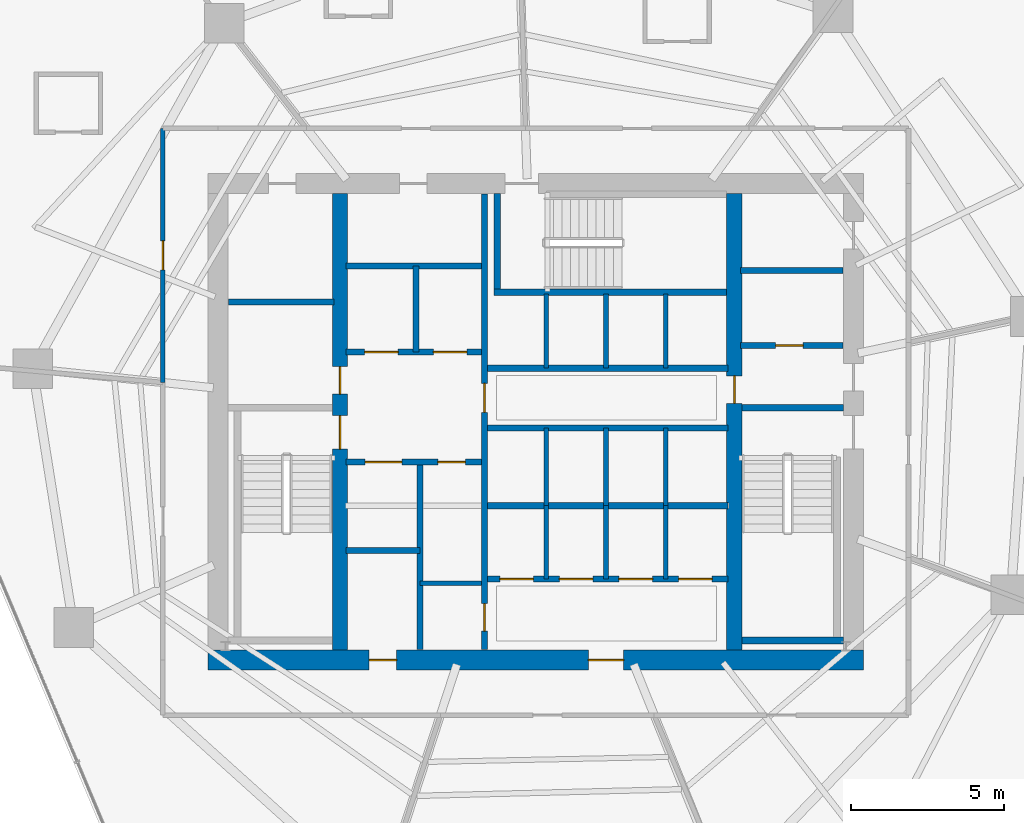
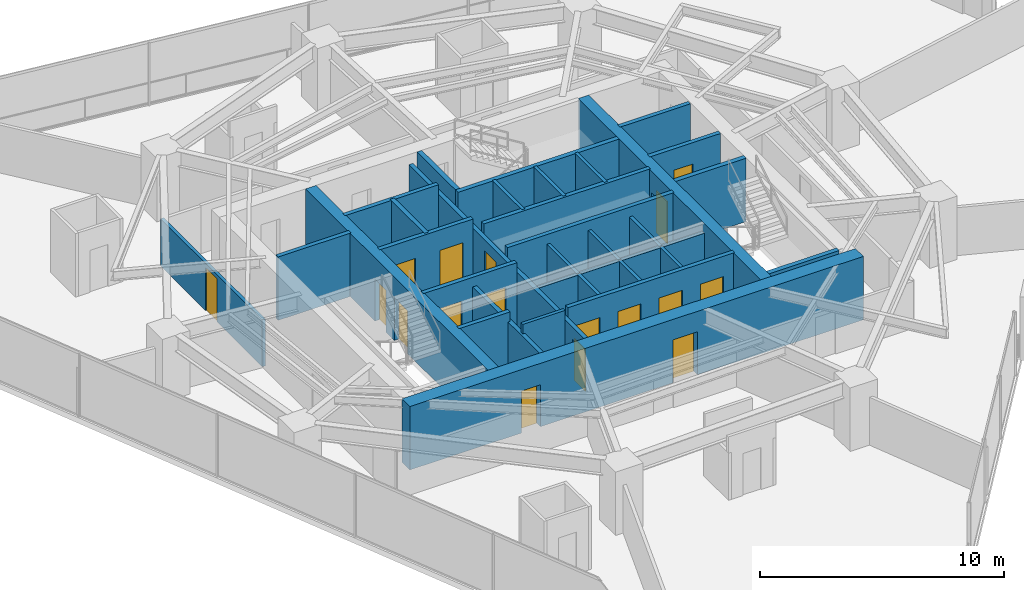
# One storey, part 26 of 30: 32 walls, 17 doors, 17 openings.
"""IFC4 building model written with IfcOpenShell, lengths in metres."""

import ifcopenshell
import ifcopenshell.guid

model = None  # the IFC model being written
_history = None  # IfcOwnerHistory: only IFC2X3 demands one
_inside = {}  # id of a spatial element -> (the spatial element, [elements in it])
_under = {}  # id of a project, library or spatial element -> (it, [spatial elements below it])
_declared = {}  # id of a project -> (the project, [libraries it declares])
_typed = {}  # id of a type object -> (the type object, [elements of that type])
_made_of = {}  # id of a material, layer set ... -> (it, [elements and type objects made of it])


def new_model(schema):
    """Start an empty IFC model of exactly this schema.

    Asked for "IFC4X3", IfcOpenShell would pick the latest addendum, in which some entities
    have other attributes; the version numbers below select the first issue.
    IFC2X3 requires an IfcOwnerHistory on every rooted entity: one is made here for all.
    """
    global model, _history
    if schema == "IFC4X3":
        model = ifcopenshell.file(schema_version=(4, 3, 0, 0))
    else:
        model = ifcopenshell.file(schema=schema)
    _inside.clear()
    _under.clear()
    _declared.clear()
    _typed.clear()
    _made_of.clear()
    _history = None
    if model.schema == "IFC2X3":
        org = make("IfcOrganization", Name="unknown")
        user = make(
            "IfcPersonAndOrganization",
            ThePerson=make("IfcPerson", FamilyName="unknown"),
            TheOrganization=org,
        )
        app = make(
            "IfcApplication",
            ApplicationDeveloper=org,
            Version="unknown",
            ApplicationFullName="unknown",
            ApplicationIdentifier="unknown",
        )
        _history = make(
            "IfcOwnerHistory",
            OwningUser=user,
            OwningApplication=app,
            ChangeAction="ADDED",
            CreationDate=0,
        )
    return model


def make(cls, **values):
    """One entity of the class cls with the attributes given. An attribute that is None is left unset."""
    return model.create_entity(
        cls, **{name: value for name, value in values.items() if value is not None}
    )


def rooted(cls, **values):
    """An entity with a GlobalId (a new one), such as an element, a storey or a relation."""
    return make(cls, GlobalId=ifcopenshell.guid.new(), OwnerHistory=_history, **values)


def si_unit(unit_type, name, prefix=None):
    """IfcSIUnit, for example si_unit("LENGTHUNIT", "METRE", prefix="MILLI")."""
    return make("IfcSIUnit", UnitType=unit_type, Prefix=prefix, Name=name)


def assignment(units):
    """IfcUnitAssignment: the units of a project."""
    return None if units is None else make("IfcUnitAssignment", Units=units)


def point(xyz):
    """IfcCartesianPoint."""
    return None if xyz is None else make("IfcCartesianPoint", Coordinates=xyz)


def direction(xyz):
    """IfcDirection."""
    return None if xyz is None else make("IfcDirection", DirectionRatios=xyz)


def frame(location, z_axis=None, x_axis=None):
    """IfcAxis2Placement3D, a coordinate frame: its origin and axes. An axis left out is left unset."""
    return make(
        "IfcAxis2Placement3D",
        Location=point(location),
        Axis=direction(z_axis),
        RefDirection=direction(x_axis),
    )


def frame_2d(location, x_axis=None):
    """IfcAxis2Placement2D, a coordinate frame in the plane: its origin and x axis."""
    return make(
        "IfcAxis2Placement2D", Location=point(location), RefDirection=direction(x_axis)
    )


def origin():
    """The frame at (0, 0, 0) with its axes left unset."""
    return frame((0.0, 0.0, 0.0))


def place(relative_to, where):
    """IfcLocalPlacement: puts the frame where relative to a parent placement (None: the world)."""
    return make(
        "IfcLocalPlacement", PlacementRelTo=relative_to, RelativePlacement=where
    )


def context(
    kind, dimensions, precision=None, world=None, true_north=None, identifier=None
):
    """IfcGeometricRepresentationContext, for example the 3D "Model" context."""
    return make(
        "IfcGeometricRepresentationContext",
        ContextIdentifier=identifier,
        ContextType=kind,
        CoordinateSpaceDimension=dimensions,
        Precision=precision,
        WorldCoordinateSystem=world,
        TrueNorth=true_north,
    )


def subcontext(parent, identifier, kind, view, scale=None):
    """IfcGeometricRepresentationSubContext, for example "Body" below "Model"."""
    return make(
        "IfcGeometricRepresentationSubContext",
        ContextIdentifier=identifier,
        ContextType=kind,
        ParentContext=parent,
        TargetScale=scale,
        TargetView=view,
    )


def project(units=None, contexts=None):
    """IfcProject with its units and contexts."""
    return rooted(
        "IfcProject",
        Name="project",
        RepresentationContexts=contexts,
        UnitsInContext=assignment(units),
    )


def spatial(cls, under=None, at=None, **own):
    """A site, building, storey or space (cls), placed at a placement, below another one or the project."""
    s = rooted(cls, ObjectPlacement=at, **own)
    if under is not None:
        _under.setdefault(under.id(), (under, []))[1].append(s)
    return s


def profile(cls, at=None, kind="AREA", **sizes):
    """A parametric profile (cls). Its sizes go by their IFC names, for example OverallWidth=200.0."""
    return make(cls, ProfileType=kind, Position=at, **sizes)


def rectangle(**sizes):
    """IfcRectangleProfileDef."""
    return profile("IfcRectangleProfileDef", **sizes)


def extrude(swept, where, along, depth):
    """IfcExtrudedAreaSolid: the profile swept, set in the frame where, extruded along a direction by depth."""
    return make(
        "IfcExtrudedAreaSolid",
        SweptArea=swept,
        Position=where,
        ExtrudedDirection=direction(along),
        Depth=depth,
    )


def shape(context_of_items, identifier, shape_type, items):
    """IfcShapeRepresentation: the items that make up one representation, for example the "Body"."""
    return make(
        "IfcShapeRepresentation",
        ContextOfItems=context_of_items,
        RepresentationIdentifier=identifier,
        RepresentationType=shape_type,
        Items=items,
    )


def material(Name=None, Category=None):
    """IfcMaterial."""
    return make("IfcMaterial", Name=Name, Category=Category)


def layer(
    of_material, thickness, ventilated=None, Name=None, Category=None, Priority=None
):
    """IfcMaterialLayer: one layer of a wall or slab, of a material (None: an air gap)."""
    return make(
        "IfcMaterialLayer",
        Material=of_material,
        LayerThickness=thickness,
        IsVentilated=ventilated,
        Name=Name,
        Category=Category,
        Priority=Priority,
    )


def layer_set(layers, Name=None):
    """IfcMaterialLayerSet."""
    return make("IfcMaterialLayerSet", MaterialLayers=layers, LayerSetName=Name)


def made_of(thing, what):
    """Note that an element or type object is made of a material, layer set ...; save() writes the relation."""
    if what is not None:
        _made_of.setdefault(what.id(), (what, []))[1].append(thing)
    return thing


def type_object(cls, material=None, **own):
    """A type object (cls), such as IfcWallType, which elements share."""
    return made_of(rooted(cls, **own), material)


def element(
    cls,
    number,
    at=None,
    inside=None,
    cuts=None,
    type_object=None,
    material=None,
    context=None,
    identifier="Body",
    shape_type=None,
    held_by="IfcProductDefinitionShape",
    body=None,
    shapes=None,
    **own,
):
    """One element of the class cls, such as IfcWall. Its Tag is "e" and its number.

    at: its placement. inside: the storey or other place that contains it. cuts: it is an
    opening in that element (IfcRelVoidsElement). A single representation is given by context,
    identifier, shape_type and body (its items); several are given by shapes. held_by: the class
    of the entity that holds the representations. save() writes the other relations.
    """
    e = rooted(cls, Tag="e%d" % number, ObjectPlacement=at, **own)
    if body is not None:
        shapes = [shape(context, identifier, shape_type, body)]
    if shapes is not None:
        e.Representation = make(held_by, Representations=shapes)
    if inside is not None:
        _inside.setdefault(inside.id(), (inside, []))[1].append(e)
    if cuts is not None:
        rooted(
            "IfcRelVoidsElement", RelatingBuildingElement=cuts, RelatedOpeningElement=e
        )
    if type_object is not None:
        _typed.setdefault(type_object.id(), (type_object, []))[1].append(e)
    return made_of(e, material)


def fill(opening, filler):
    """IfcRelFillsElement: the door or window that sits in an opening."""
    return rooted(
        "IfcRelFillsElement",
        RelatingOpeningElement=opening,
        RelatedBuildingElement=filler,
    )


def aggregate(whole, parts):
    """IfcRelAggregates: a whole, such as a stair, and the parts it consists of."""
    return rooted("IfcRelAggregates", RelatingObject=whole, RelatedObjects=parts)


def save(model, path):
    """Write the relations noted so far, then the file.

    IfcRelAggregates (storeys below a building ...), IfcRelContainedInSpatialStructure (elements
    in a storey), IfcRelDefinesByType, IfcRelAssociatesMaterial and IfcRelDeclares: one each for
    every whole, place, type object, material and project.
    """
    for whole, parts in _under.values():
        aggregate(whole, parts)
    for where, things in _inside.values():
        rooted(
            "IfcRelContainedInSpatialStructure",
            RelatedElements=things,
            RelatingStructure=where,
        )
    for kind, things in _typed.values():
        rooted("IfcRelDefinesByType", RelatedObjects=things, RelatingType=kind)
    for what, things in _made_of.values():
        rooted("IfcRelAssociatesMaterial", RelatedObjects=things, RelatingMaterial=what)
    for by, libraries in _declared.values():
        rooted("IfcRelDeclares", RelatingContext=by, RelatedDefinitions=libraries)
    model.write(path)


model = new_model("IFC4")

# Units and contexts
model_context = context("Model", 3, precision=1e-05, world=origin(), true_north=direction((0.0, 1.0)))
body_context = subcontext(model_context, "Body", "Model", "MODEL_VIEW")
ifc_project = project(units=[si_unit("LENGTHUNIT", "METRE"), si_unit("AREAUNIT", "SQUARE_METRE"), si_unit("VOLUMEUNIT", "CUBIC_METRE"), si_unit("PLANEANGLEUNIT", "RADIAN"), si_unit("MASSUNIT", "GRAM", prefix="KILO")], contexts=[model_context])

# Site, building, storey
site_placement = place(None, origin())
site = spatial("IfcSite", under=ifc_project, at=site_placement, CompositionType="ELEMENT")
building_placement = place(site_placement, origin())
building = spatial("IfcBuilding", under=site, at=building_placement, Name="Qarnah Convention Tower", CompositionType="ELEMENT")
storey_placement = place(building_placement, frame((0.0, 0.0, 40.800048828125)))
storey = spatial("IfcBuildingStorey", under=building, at=storey_placement, Name="L09", CompositionType="ELEMENT", Elevation=40.800048828125)

# Wall, openings, doors
ifc_material_1 = material(Name="Concrete C60/75", Category="concrete")
ifc_layer_1 = layer(ifc_material_1, 0.64990234375)
ifc_layer_set_1 = layer_set([ifc_layer_1], Name="Concrete C60/75")
wall_type_1 = type_object("IfcWallType", Name="WL-CORE-650", PredefinedType="SHEAR", material=ifc_layer_set_1)
wall_1_placement = place(storey_placement, frame((26.47509765625, 18.60009765625, 0.0), z_axis=(0.0, 0.0, 1.0), x_axis=(1.0, 0.0, 0.0)))
wall_1 = element("IfcWall", 1, at=wall_1_placement, inside=storey, type_object=wall_type_1, Name="L09 core south shear wall", PredefinedType="SHEAR", context=body_context, shape_type="SweptSolid", body=[
    extrude(rectangle(XDim=21.449951171875, YDim=0.64990234375, at=frame_2d((10.72509765625, 0.0))), origin(), (0.0, 0.0, 1.0), 3.169921875),
])
opening_1_placement = place(wall_1_placement, frame((12.449951171875, 0.0, 0.0)))
opening_1 = element("IfcOpeningElement", 2, at=opening_1_placement, cuts=wall_1, Name="Opening D-0907", PredefinedType="OPENING", context=body_context, shape_type="SweptSolid", body=[
    extrude(rectangle(XDim=1.14990234375, YDim=2.14990234375, at=frame_2d((0.574951171875, 1.074951171875))), frame((0.0, 0.3349609375, 0.0), z_axis=(0.0, -1.0, 0.0), x_axis=(1.0, 0.0, 0.0)), (0.0, 0.0, 1.0), 0.669921875),
])
opening_2_placement = place(wall_1_placement, frame((5.27490234375, 0.0, 0.0)))
opening_2 = element("IfcOpeningElement", 3, at=opening_2_placement, cuts=wall_1, Name="Opening D-0913", PredefinedType="OPENING", context=body_context, shape_type="SweptSolid", body=[
    extrude(rectangle(XDim=0.89990234375, YDim=2.10009765625, at=frame_2d((0.449951171875, 1.050048828125))), frame((0.0, 0.3349609375, 0.0), z_axis=(0.0, -1.0, 0.0), x_axis=(1.0, 0.0, 0.0)), (0.0, 0.0, 1.0), 0.669921875),
])
ifc_material_2 = material(Name="Structural steel S355JR", Category="steel")
door_type_1 = type_object("IfcDoorType", Name="DT-LOBBY-1150", OperationType="NOTDEFINED", PredefinedType="DOOR", material=ifc_material_2)
door_1_placement = place(opening_1_placement, origin())
door_1 = element("IfcDoor", 4, at=door_1_placement, inside=storey, type_object=door_type_1, Name="Door D-0907", OperationType="SINGLE_SWING_LEFT", OverallHeight=2.14990234375, OverallWidth=1.14990234375, PredefinedType="DOOR", context=body_context, shape_type="SweptSolid", body=[
    extrude(rectangle(XDim=1.14990234375, YDim=2.14990234375, at=frame_2d((0.574951171875, 1.074951171875))), frame((0.0, 0.02490234375, 0.0), z_axis=(0.0, -1.0, 0.0), x_axis=(1.0, 0.0, 0.0)), (0.0, 0.0, 1.0), 0.050048828125),
])
fill(opening_1, door_1)
door_type_2 = type_object("IfcDoorType", Name="DT-RISER-900", OperationType="NOTDEFINED", PredefinedType="DOOR", material=ifc_material_2)
door_2_placement = place(opening_2_placement, origin())
door_2 = element("IfcDoor", 5, at=door_2_placement, inside=storey, type_object=door_type_2, Name="Door D-0913", OperationType="SINGLE_SWING_LEFT", OverallHeight=2.10009765625, OverallWidth=0.89990234375, PredefinedType="DOOR", context=body_context, shape_type="SweptSolid", body=[
    extrude(rectangle(XDim=0.89990234375, YDim=2.10009765625, at=frame_2d((0.449951171875, 1.050048828125))), frame((0.0, 0.02490234375, 0.0), z_axis=(0.0, -1.0, 0.0), x_axis=(1.0, 0.0, 0.0)), (0.0, 0.0, 1.0), 0.050048828125),
])
fill(opening_2, door_2)

ifc_layer_2 = layer(ifc_material_1, 0.5)
ifc_layer_set_2 = layer_set([ifc_layer_2], Name="Concrete C60/75")
wall_type_2 = type_object("IfcWallType", Name="WL-CORE-INT-400", PredefinedType="SHEAR", material=ifc_layer_set_2)
wall_2_placement = place(storey_placement, frame((30.800048828125, 18.925048828125, 0.0), z_axis=(0.0, 0.0, 1.0), x_axis=(0.0, 1.0, 0.0)))
wall_2 = element("IfcWall", 6, at=wall_2_placement, inside=storey, type_object=wall_type_2, Name="L09 core west spine shear wall", PredefinedType="SHEAR", context=body_context, shape_type="SweptSolid", body=[
    extrude(rectangle(XDim=14.949951171875, YDim=0.5, at=frame_2d((7.47509765625, 0.0))), origin(), (0.0, 0.0, 1.0), 3.169921875),
])
opening_3_placement = place(wall_2_placement, frame((6.574951171875, 0.0, 0.0)))
opening_3 = element("IfcOpeningElement", 7, at=opening_3_placement, cuts=wall_2, Name="Opening D-0901", PredefinedType="OPENING", context=body_context, shape_type="SweptSolid", body=[
    extrude(rectangle(XDim=1.10009765625, YDim=2.14990234375, at=frame_2d((0.550048828125, 1.074951171875))), frame((0.0, 0.260009765625, 0.0), z_axis=(0.0, -1.0, 0.0), x_axis=(1.0, 0.0, 0.0)), (0.0, 0.0, 1.0), 0.52001953125),
])
opening_4_placement = place(wall_2_placement, frame((8.375, 0.0, 0.0)))
opening_4 = element("IfcOpeningElement", 8, at=opening_4_placement, cuts=wall_2, Name="Opening D-0908", PredefinedType="OPENING", context=body_context, shape_type="SweptSolid", body=[
    extrude(rectangle(XDim=0.89990234375, YDim=2.10009765625, at=frame_2d((0.449951171875, 1.050048828125))), frame((0.0, 0.260009765625, 0.0), z_axis=(0.0, -1.0, 0.0), x_axis=(1.0, 0.0, 0.0)), (0.0, 0.0, 1.0), 0.52001953125),
])
door_3_placement = place(opening_4_placement, origin())
door_3 = element("IfcDoor", 9, at=door_3_placement, inside=storey, type_object=door_type_2, Name="Door D-0908", OperationType="SINGLE_SWING_RIGHT", OverallHeight=2.10009765625, OverallWidth=0.89990234375, PredefinedType="DOOR", context=body_context, shape_type="SweptSolid", body=[
    extrude(rectangle(XDim=0.89990234375, YDim=2.10009765625, at=frame_2d((0.449951171875, 1.050048828125))), frame((0.0, 0.02490234375, 0.0), z_axis=(0.0, -1.0, 0.0), x_axis=(1.0, 0.0, 0.0)), (0.0, 0.0, 1.0), 0.050048828125),
])
fill(opening_4, door_3)
door_type_3 = type_object("IfcDoorType", Name="DT-STAIR-1100", OperationType="NOTDEFINED", PredefinedType="DOOR", material=ifc_material_2)
door_4_placement = place(opening_3_placement, origin())
door_4 = element("IfcDoor", 10, at=door_4_placement, inside=storey, type_object=door_type_3, Name="Door D-0901", OperationType="SINGLE_SWING_LEFT", OverallHeight=2.14990234375, OverallWidth=1.10009765625, PredefinedType="DOOR", context=body_context, shape_type="SweptSolid", body=[
    extrude(rectangle(XDim=1.10009765625, YDim=2.14990234375, at=frame_2d((0.550048828125, 1.074951171875))), frame((0.0, 0.02490234375, 0.0), z_axis=(0.0, -1.0, 0.0), x_axis=(1.0, 0.0, 0.0)), (0.0, 0.0, 1.0), 0.050048828125),
])
fill(opening_3, door_4)

# Wall, opening, door
wall_3_placement = place(storey_placement, frame((43.699951171875, 18.925048828125, 0.0), z_axis=(0.0, 0.0, 1.0), x_axis=(0.0, 1.0, 0.0)))
wall_3 = element("IfcWall", 11, at=wall_3_placement, inside=storey, type_object=wall_type_2, Name="L09 core east spine shear wall", PredefinedType="SHEAR", context=body_context, shape_type="SweptSolid", body=[
    extrude(rectangle(XDim=14.949951171875, YDim=0.5, at=frame_2d((7.47509765625, 0.0))), origin(), (0.0, 0.0, 1.0), 3.169921875),
])
opening_5_placement = place(wall_3_placement, frame((8.074951171875, 0.0, 0.0)))
opening_5 = element("IfcOpeningElement", 12, at=opening_5_placement, cuts=wall_3, Name="Opening D-0905", PredefinedType="OPENING", context=body_context, shape_type="SweptSolid", body=[
    extrude(rectangle(XDim=0.89990234375, YDim=2.10009765625, at=frame_2d((0.449951171875, 1.050048828125))), frame((0.0, 0.260009765625, 0.0), z_axis=(0.0, -1.0, 0.0), x_axis=(1.0, 0.0, 0.0)), (0.0, 0.0, 1.0), 0.52001953125),
])
door_5_placement = place(opening_5_placement, origin())
door_5 = element("IfcDoor", 13, at=door_5_placement, inside=storey, type_object=door_type_2, Name="Door D-0905", OperationType="SINGLE_SWING_LEFT", OverallHeight=2.10009765625, OverallWidth=0.89990234375, PredefinedType="DOOR", context=body_context, shape_type="SweptSolid", body=[
    extrude(rectangle(XDim=0.89990234375, YDim=2.10009765625, at=frame_2d((0.449951171875, 1.050048828125))), frame((0.0, 0.02490234375, 0.0), z_axis=(0.0, -1.0, 0.0), x_axis=(1.0, 0.0, 0.0)), (0.0, 0.0, 1.0), 0.050048828125),
])
fill(opening_5, door_5)

# Wall
ifc_material_3 = material(Name="Concrete C45/55", Category="concrete")
ifc_layer_3 = layer(ifc_material_3, 0.199951171875)
ifc_layer_set_3 = layer_set([ifc_layer_3], Name="Concrete C45/55")
wall_type_3 = type_object("IfcWallType", Name="WL-CORE-PART-200", PredefinedType="SOLIDWALL", material=ifc_layer_set_3)
wall_4_placement = place(storey_placement, frame((27.14990234375, 30.320068359375, 0.0), z_axis=(0.0, 0.0, 1.0), x_axis=(1.0, 0.0, 0.0)))
element("IfcWall", 14, at=wall_4_placement, inside=storey, type_object=wall_type_3, Name="L09 interior wall IW-L09-ELRN", PredefinedType="SOLIDWALL", context=body_context, shape_type="SweptSolid", body=[
    extrude(rectangle(XDim=3.4501953125, YDim=0.199951171875, at=frame_2d((1.72509765625, 0.0))), origin(), (0.0, 0.0, 1.0), 3.169921875),
])

# Wall, opening, door
wall_5_placement = place(storey_placement, frame((43.89990234375, 28.89990234375, 0.0), z_axis=(0.0, 0.0, 1.0), x_axis=(1.0, 0.0, 0.0)))
wall_5 = element("IfcWall", 15, at=wall_5_placement, inside=storey, type_object=wall_type_3, Name="L09 interior wall IW-L09-EVSTN", PredefinedType="SOLIDWALL", context=body_context, shape_type="SweptSolid", body=[
    extrude(rectangle(XDim=3.35009765625, YDim=0.199951171875, at=frame_2d((1.675048828125, 0.0))), origin(), (0.0, 0.0, 1.0), 3.169921875),
])
opening_6_placement = place(wall_5_placement, frame((1.14990234375, 0.0, 0.0)))
opening_6 = element("IfcOpeningElement", 16, at=opening_6_placement, cuts=wall_5, Name="Opening D-0911", PredefinedType="OPENING", context=body_context, shape_type="SweptSolid", body=[
    extrude(rectangle(XDim=0.89990234375, YDim=2.10009765625, at=frame_2d((0.449951171875, 1.050048828125))), frame((0.0, 0.10986328125, 0.0), z_axis=(0.0, -1.0, 0.0), x_axis=(1.0, 0.0, 0.0)), (0.0, 0.0, 1.0), 0.219970703125),
])
door_6_placement = place(opening_6_placement, origin())
door_6 = element("IfcDoor", 17, at=door_6_placement, inside=storey, type_object=door_type_2, Name="Door D-0911", OperationType="SINGLE_SWING_LEFT", OverallHeight=2.10009765625, OverallWidth=0.89990234375, PredefinedType="DOOR", context=body_context, shape_type="SweptSolid", body=[
    extrude(rectangle(XDim=0.89990234375, YDim=2.10009765625, at=frame_2d((0.449951171875, 1.050048828125))), frame((0.0, 0.02490234375, 0.0), z_axis=(0.0, -1.0, 0.0), x_axis=(1.0, 0.0, 0.0)), (0.0, 0.0, 1.0), 0.050048828125),
])
fill(opening_6, door_6)

# Wall
wall_6_placement = place(storey_placement, frame((43.89990234375, 31.35009765625, 0.0), z_axis=(0.0, 0.0, 1.0), x_axis=(1.0, 0.0, 0.0)))
element("IfcWall", 18, at=wall_6_placement, inside=storey, type_object=wall_type_3, Name="L09 interior wall IW-L09-WTRN", PredefinedType="SOLIDWALL", context=body_context, shape_type="SweptSolid", body=[
    extrude(rectangle(XDim=3.35009765625, YDim=0.199951171875, at=frame_2d((1.675048828125, 0.0))), origin(), (0.0, 0.0, 1.0), 3.169921875),
])

# Wall, openings, doors
wall_7_placement = place(storey_placement, frame((35.52001953125, 18.949951171875, 0.0), z_axis=(0.0, 0.0, 1.0), x_axis=(0.0, 1.0, 0.0)))
wall_7 = element("IfcWall", 19, at=wall_7_placement, inside=storey, type_object=wall_type_3, Name="L09 interior wall IW-L09-CSP", PredefinedType="SOLIDWALL", context=body_context, shape_type="SweptSolid", body=[
    extrude(rectangle(XDim=14.900146484375, YDim=0.199951171875, at=frame_2d((7.4501953125, 0.0))), origin(), (0.0, 0.0, 1.0), 2.69091796875),
])
opening_7_placement = place(wall_7_placement, frame((7.7548828125, 0.0, 0.0)))
opening_7 = element("IfcOpeningElement", 20, at=opening_7_placement, cuts=wall_7, Name="Opening D-0904", PredefinedType="OPENING", context=body_context, shape_type="SweptSolid", body=[
    extrude(rectangle(XDim=0.949951171875, YDim=2.14990234375, at=frame_2d((0.47509765625, 1.074951171875))), frame((0.0, 0.10986328125, 0.0), z_axis=(0.0, -1.0, 0.0), x_axis=(1.0, 0.0, 0.0)), (0.0, 0.0, 1.0), 0.219970703125),
])
opening_8_placement = place(wall_7_placement, frame((0.60009765625, 0.0, 0.0)))
opening_8 = element("IfcOpeningElement", 21, at=opening_8_placement, cuts=wall_7, Name="Opening D-0914", PredefinedType="OPENING", context=body_context, shape_type="SweptSolid", body=[
    extrude(rectangle(XDim=0.89990234375, YDim=2.10009765625, at=frame_2d((0.449951171875, 1.050048828125))), frame((0.0, 0.10986328125, 0.0), z_axis=(0.0, -1.0, 0.0), x_axis=(1.0, 0.0, 0.0)), (0.0, 0.0, 1.0), 0.219970703125),
])
ifc_material_4 = material(Name="Oak timber veneer", Category="wood")
door_type_4 = type_object("IfcDoorType", Name="DT-HOTEL-950", OperationType="NOTDEFINED", PredefinedType="DOOR", material=ifc_material_4)
door_7_placement = place(opening_7_placement, origin())
door_7 = element("IfcDoor", 22, at=door_7_placement, inside=storey, type_object=door_type_4, Name="Door D-0904", OperationType="SINGLE_SWING_RIGHT", OverallHeight=2.14990234375, OverallWidth=0.949951171875, PredefinedType="DOOR", context=body_context, shape_type="SweptSolid", body=[
    extrude(rectangle(XDim=0.949951171875, YDim=2.14990234375, at=frame_2d((0.47509765625, 1.074951171875))), frame((0.0, 0.02490234375, 0.0), z_axis=(0.0, -1.0, 0.0), x_axis=(1.0, 0.0, 0.0)), (0.0, 0.0, 1.0), 0.050048828125),
])
fill(opening_7, door_7)
door_8_placement = place(opening_8_placement, origin())
door_8 = element("IfcDoor", 23, at=door_8_placement, inside=storey, type_object=door_type_2, Name="Door D-0914", OperationType="SINGLE_SWING_RIGHT", OverallHeight=2.10009765625, OverallWidth=0.89990234375, PredefinedType="DOOR", context=body_context, shape_type="SweptSolid", body=[
    extrude(rectangle(XDim=0.89990234375, YDim=2.10009765625, at=frame_2d((0.449951171875, 1.050048828125))), frame((0.0, 0.02490234375, 0.0), z_axis=(0.0, -1.0, 0.0), x_axis=(1.0, 0.0, 0.0)), (0.0, 0.0, 1.0), 0.050048828125),
])
fill(opening_8, door_8)

wall_8_placement = place(storey_placement, frame((31.0, 28.679931640625, 0.0), z_axis=(0.0, 0.0, 1.0), x_axis=(1.0, 0.0, 0.0)))
wall_8 = element("IfcWall", 24, at=wall_8_placement, inside=storey, type_object=wall_type_3, Name="L09 interior wall IW-L09-FFLS", PredefinedType="SOLIDWALL", context=body_context, shape_type="SweptSolid", body=[
    extrude(rectangle(XDim=4.419921875, YDim=0.199951171875, at=frame_2d((2.2099609375, 0.0))), origin(), (0.0, 0.0, 1.0), 3.169921875),
])
opening_9_placement = place(wall_8_placement, frame((0.60009765625, 0.0, 0.0)))
opening_9 = element("IfcOpeningElement", 25, at=opening_9_placement, cuts=wall_8, Name="Opening LD-0901", PredefinedType="OPENING", context=body_context, shape_type="SweptSolid", body=[
    extrude(rectangle(XDim=1.10009765625, YDim=2.14990234375, at=frame_2d((0.550048828125, 1.074951171875))), frame((0.0, 0.10986328125, 0.0), z_axis=(0.0, -1.0, 0.0), x_axis=(1.0, 0.0, 0.0)), (0.0, 0.0, 1.0), 0.219970703125),
])
opening_10_placement = place(wall_8_placement, frame((2.85009765625, 0.0, 0.0)))
opening_10 = element("IfcOpeningElement", 26, at=opening_10_placement, cuts=wall_8, Name="Opening LD-0902", PredefinedType="OPENING", context=body_context, shape_type="SweptSolid", body=[
    extrude(rectangle(XDim=1.10009765625, YDim=2.14990234375, at=frame_2d((0.550048828125, 1.074951171875))), frame((0.0, 0.10986328125, 0.0), z_axis=(0.0, -1.0, 0.0), x_axis=(1.0, 0.0, 0.0)), (0.0, 0.0, 1.0), 0.219970703125),
])
door_type_5 = type_object("IfcDoorType", Name="DT-LIFT-1100", OperationType="SLIDING_TO_LEFT", PredefinedType="DOOR", material=ifc_material_2)
door_9_placement = place(opening_9_placement, origin())
door_9 = element("IfcDoor", 27, at=door_9_placement, inside=storey, type_object=door_type_5, Name="Door LD-0901", OperationType="SLIDING_TO_LEFT", OverallHeight=2.14990234375, OverallWidth=1.10009765625, PredefinedType="DOOR", context=body_context, shape_type="SweptSolid", body=[
    extrude(rectangle(XDim=1.10009765625, YDim=2.14990234375, at=frame_2d((0.550048828125, 1.074951171875))), frame((0.0, 0.02490234375, 0.0), z_axis=(0.0, -1.0, 0.0), x_axis=(1.0, 0.0, 0.0)), (0.0, 0.0, 1.0), 0.050048828125),
])
fill(opening_9, door_9)
door_10_placement = place(opening_10_placement, origin())
door_10 = element("IfcDoor", 28, at=door_10_placement, inside=storey, type_object=door_type_5, Name="Door LD-0902", OperationType="SLIDING_TO_LEFT", OverallHeight=2.14990234375, OverallWidth=1.10009765625, PredefinedType="DOOR", context=body_context, shape_type="SweptSolid", body=[
    extrude(rectangle(XDim=1.10009765625, YDim=2.14990234375, at=frame_2d((0.550048828125, 1.074951171875))), frame((0.0, 0.02490234375, 0.0), z_axis=(0.0, -1.0, 0.0), x_axis=(1.0, 0.0, 0.0)), (0.0, 0.0, 1.0), 0.050048828125),
])
fill(opening_10, door_10)

# Walls
wall_9_placement = place(storey_placement, frame((31.0, 31.5, 0.0), z_axis=(0.0, 0.0, 1.0), x_axis=(1.0, 0.0, 0.0)))
element("IfcWall", 29, at=wall_9_placement, inside=storey, type_object=wall_type_3, Name="L09 interior wall IW-L09-FFLN", PredefinedType="SOLIDWALL", context=body_context, shape_type="SweptSolid", body=[
    extrude(rectangle(XDim=4.419921875, YDim=0.199951171875, at=frame_2d((2.2099609375, 0.0))), origin(), (0.0, 0.0, 1.0), 3.169921875),
])
wall_10_placement = place(storey_placement, frame((33.280029296875, 28.679931640625, 0.0), z_axis=(0.0, 0.0, 1.0), x_axis=(0.0, 1.0, 0.0)))
element("IfcWall", 30, at=wall_10_placement, inside=storey, type_object=wall_type_3, Name="L09 interior wall IW-L09-FFLM", PredefinedType="SOLIDWALL", context=body_context, shape_type="SweptSolid", body=[
    extrude(rectangle(XDim=2.820068359375, YDim=0.199951171875, at=frame_2d((1.41015625, 0.0))), origin(), (0.0, 0.0, 1.0), 3.169921875),
])

# Wall, openings, doors
wall_11_placement = place(storey_placement, frame((31.0, 25.080078125, 0.0), z_axis=(0.0, 0.0, 1.0), x_axis=(1.0, 0.0, 0.0)))
wall_11 = element("IfcWall", 31, at=wall_11_placement, inside=storey, type_object=wall_type_3, Name="L09 interior wall IW-L09-FFLBS", PredefinedType="SOLIDWALL", context=body_context, shape_type="SweptSolid", body=[
    extrude(rectangle(XDim=4.419921875, YDim=0.199951171875, at=frame_2d((2.2099609375, 0.0))), origin(), (0.0, 0.0, 1.0), 3.169921875),
])
opening_11_placement = place(wall_11_placement, frame((3.0, 0.0, 0.0)))
opening_11 = element("IfcOpeningElement", 32, at=opening_11_placement, cuts=wall_11, Name="Opening D-0915", PredefinedType="OPENING", context=body_context, shape_type="SweptSolid", body=[
    extrude(rectangle(XDim=0.89990234375, YDim=2.10009765625, at=frame_2d((0.449951171875, 1.050048828125))), frame((0.0, 0.10986328125, 0.0), z_axis=(0.0, -1.0, 0.0), x_axis=(1.0, 0.0, 0.0)), (0.0, 0.0, 1.0), 0.219970703125),
])
opening_12_placement = place(wall_11_placement, frame((0.6201171875, 0.0, 0.0)))
opening_12 = element("IfcOpeningElement", 33, at=opening_12_placement, cuts=wall_11, Name="Opening LD-0903", PredefinedType="OPENING", context=body_context, shape_type="SweptSolid", body=[
    extrude(rectangle(XDim=1.199951171875, YDim=2.14990234375, at=frame_2d((0.60009765625, 1.074951171875))), frame((0.0, 0.10986328125, 0.0), z_axis=(0.0, -1.0, 0.0), x_axis=(1.0, 0.0, 0.0)), (0.0, 0.0, 1.0), 0.219970703125),
])
door_type_6 = type_object("IfcDoorType", Name="DT-LIFT-1200", OperationType="SLIDING_TO_LEFT", PredefinedType="DOOR", material=ifc_material_2)
door_11_placement = place(opening_12_placement, origin())
door_11 = element("IfcDoor", 34, at=door_11_placement, inside=storey, type_object=door_type_6, Name="Door LD-0903", OperationType="SLIDING_TO_LEFT", OverallHeight=2.14990234375, OverallWidth=1.199951171875, PredefinedType="DOOR", context=body_context, shape_type="SweptSolid", body=[
    extrude(rectangle(XDim=1.199951171875, YDim=2.14990234375, at=frame_2d((0.60009765625, 1.074951171875))), frame((0.0, 0.02490234375, 0.0), z_axis=(0.0, -1.0, 0.0), x_axis=(1.0, 0.0, 0.0)), (0.0, 0.0, 1.0), 0.050048828125),
])
fill(opening_12, door_11)
door_12_placement = place(opening_11_placement, origin())
door_12 = element("IfcDoor", 35, at=door_12_placement, inside=storey, type_object=door_type_2, Name="Door D-0915", OperationType="SINGLE_SWING_LEFT", OverallHeight=2.10009765625, OverallWidth=0.89990234375, PredefinedType="DOOR", context=body_context, shape_type="SweptSolid", body=[
    extrude(rectangle(XDim=0.89990234375, YDim=2.10009765625, at=frame_2d((0.449951171875, 1.050048828125))), frame((0.0, 0.02490234375, 0.0), z_axis=(0.0, -1.0, 0.0), x_axis=(1.0, 0.0, 0.0)), (0.0, 0.0, 1.0), 0.050048828125),
])
fill(opening_11, door_12)

# Walls
wall_12_placement = place(storey_placement, frame((33.419921875, 18.949951171875, 0.0), z_axis=(0.0, 0.0, 1.0), x_axis=(0.0, 1.0, 0.0)))
element("IfcWall", 36, at=wall_12_placement, inside=storey, type_object=wall_type_3, Name="L09 interior wall IW-L09-SVLE", PredefinedType="SOLIDWALL", context=body_context, shape_type="SweptSolid", body=[
    extrude(rectangle(XDim=6.130126953125, YDim=0.199951171875, at=frame_2d((3.06494140625, 0.0))), origin(), (0.0, 0.0, 1.0), 2.69091796875),
])
wall_13_placement = place(storey_placement, frame((31.0, 22.179931640625, 0.0), z_axis=(0.0, 0.0, 1.0), x_axis=(1.0, 0.0, 0.0)))
element("IfcWall", 37, at=wall_13_placement, inside=storey, type_object=wall_type_3, Name="L09 interior wall IW-L09-SVLS", PredefinedType="SOLIDWALL", context=body_context, shape_type="SweptSolid", body=[
    extrude(rectangle(XDim=2.419921875, YDim=0.199951171875, at=frame_2d((1.2099609375, 0.0))), origin(), (0.0, 0.0, 1.0), 3.169921875),
])
for number, where, z_axis, x_axis, name in (
    (38, (35.6201171875, 28.14990234375, 0.0), (0.0, 0.0, 1.0), (1.0, 0.0, 0.0), "L09 interior wall IW-L09-PHS"),
    (39, (35.6201171875, 26.199951171875, 0.0), (0.0, 0.0, 1.0), (1.0, 0.0, 0.0), "L09 interior wall IW-L09-PMN"),
):
    element("IfcWall", number, at=place(storey_placement, frame(where, z_axis=z_axis, x_axis=x_axis)), inside=storey, type_object=wall_type_3, Name=name, PredefinedType="SOLIDWALL", context=body_context, shape_type="SweptSolid", body=[
        extrude(rectangle(XDim=7.8798828125, YDim=0.199951171875, at=frame_2d((3.93994140625, 0.0))), origin(), (0.0, 0.0, 1.0), 3.169921875),
    ])
wall_14_placement = place(storey_placement, frame((35.6201171875, 23.64990234375, 0.0), z_axis=(0.0, 0.0, 1.0), x_axis=(1.0, 0.0, 0.0)))
element("IfcWall", 40, at=wall_14_placement, inside=storey, type_object=wall_type_3, Name="L09 interior wall IW-L09-PMPL", PredefinedType="SOLIDWALL", context=body_context, shape_type="SweptSolid", body=[
    extrude(rectangle(XDim=7.8798828125, YDim=0.199951171875, at=frame_2d((3.93994140625, 0.0))), origin(), (0.0, 0.0, 1.0), 2.69091796875),
])

# Wall, openings, doors
wall_15_placement = place(storey_placement, frame((35.6201171875, 21.25, 0.0), z_axis=(0.0, 0.0, 1.0), x_axis=(1.0, 0.0, 0.0)))
wall_15 = element("IfcWall", 41, at=wall_15_placement, inside=storey, type_object=wall_type_3, Name="L09 interior wall IW-L09-PLS", PredefinedType="SOLIDWALL", context=body_context, shape_type="SweptSolid", body=[
    extrude(rectangle(XDim=7.8798828125, YDim=0.199951171875, at=frame_2d((3.93994140625, 0.0))), origin(), (0.0, 0.0, 1.0), 3.169921875),
])
opening_13_placement = place(wall_15_placement, frame((0.405029296875, 0.0, 0.0)))
opening_13 = element("IfcOpeningElement", 42, at=opening_13_placement, cuts=wall_15, Name="Opening LD-0904", PredefinedType="OPENING", context=body_context, shape_type="SweptSolid", body=[
    extrude(rectangle(XDim=1.10009765625, YDim=2.14990234375, at=frame_2d((0.550048828125, 1.074951171875))), frame((0.0, 0.10986328125, 0.0), z_axis=(0.0, -1.0, 0.0), x_axis=(1.0, 0.0, 0.0)), (0.0, 0.0, 1.0), 0.219970703125),
])
opening_14_placement = place(wall_15_placement, frame((2.35498046875, 0.0, 0.0)))
opening_14 = element("IfcOpeningElement", 43, at=opening_14_placement, cuts=wall_15, Name="Opening LD-0905", PredefinedType="OPENING", context=body_context, shape_type="SweptSolid", body=[
    extrude(rectangle(XDim=1.10009765625, YDim=2.14990234375, at=frame_2d((0.550048828125, 1.074951171875))), frame((0.0, 0.10986328125, 0.0), z_axis=(0.0, -1.0, 0.0), x_axis=(1.0, 0.0, 0.0)), (0.0, 0.0, 1.0), 0.219970703125),
])
opening_15_placement = place(wall_15_placement, frame((4.304931640625, 0.0, 0.0)))
opening_15 = element("IfcOpeningElement", 44, at=opening_15_placement, cuts=wall_15, Name="Opening LD-0906", PredefinedType="OPENING", context=body_context, shape_type="SweptSolid", body=[
    extrude(rectangle(XDim=1.10009765625, YDim=2.14990234375, at=frame_2d((0.550048828125, 1.074951171875))), frame((0.0, 0.10986328125, 0.0), z_axis=(0.0, -1.0, 0.0), x_axis=(1.0, 0.0, 0.0)), (0.0, 0.0, 1.0), 0.219970703125),
])
opening_16_placement = place(wall_15_placement, frame((6.2548828125, 0.0, 0.0)))
opening_16 = element("IfcOpeningElement", 45, at=opening_16_placement, cuts=wall_15, Name="Opening LD-0907", PredefinedType="OPENING", context=body_context, shape_type="SweptSolid", body=[
    extrude(rectangle(XDim=1.10009765625, YDim=2.14990234375, at=frame_2d((0.550048828125, 1.074951171875))), frame((0.0, 0.10986328125, 0.0), z_axis=(0.0, -1.0, 0.0), x_axis=(1.0, 0.0, 0.0)), (0.0, 0.0, 1.0), 0.219970703125),
])
door_13_placement = place(opening_13_placement, origin())
door_13 = element("IfcDoor", 46, at=door_13_placement, inside=storey, type_object=door_type_5, Name="Door LD-0904", OperationType="SLIDING_TO_LEFT", OverallHeight=2.14990234375, OverallWidth=1.10009765625, PredefinedType="DOOR", context=body_context, shape_type="SweptSolid", body=[
    extrude(rectangle(XDim=1.10009765625, YDim=2.14990234375, at=frame_2d((0.550048828125, 1.074951171875))), frame((0.0, 0.02490234375, 0.0), z_axis=(0.0, -1.0, 0.0), x_axis=(1.0, 0.0, 0.0)), (0.0, 0.0, 1.0), 0.050048828125),
])
fill(opening_13, door_13)
door_14_placement = place(opening_14_placement, origin())
door_14 = element("IfcDoor", 47, at=door_14_placement, inside=storey, type_object=door_type_5, Name="Door LD-0905", OperationType="SLIDING_TO_LEFT", OverallHeight=2.14990234375, OverallWidth=1.10009765625, PredefinedType="DOOR", context=body_context, shape_type="SweptSolid", body=[
    extrude(rectangle(XDim=1.10009765625, YDim=2.14990234375, at=frame_2d((0.550048828125, 1.074951171875))), frame((0.0, 0.02490234375, 0.0), z_axis=(0.0, -1.0, 0.0), x_axis=(1.0, 0.0, 0.0)), (0.0, 0.0, 1.0), 0.050048828125),
])
fill(opening_14, door_14)
door_15_placement = place(opening_15_placement, origin())
door_15 = element("IfcDoor", 48, at=door_15_placement, inside=storey, type_object=door_type_5, Name="Door LD-0906", OperationType="SLIDING_TO_LEFT", OverallHeight=2.14990234375, OverallWidth=1.10009765625, PredefinedType="DOOR", context=body_context, shape_type="SweptSolid", body=[
    extrude(rectangle(XDim=1.10009765625, YDim=2.14990234375, at=frame_2d((0.550048828125, 1.074951171875))), frame((0.0, 0.02490234375, 0.0), z_axis=(0.0, -1.0, 0.0), x_axis=(1.0, 0.0, 0.0)), (0.0, 0.0, 1.0), 0.050048828125),
])
fill(opening_15, door_15)
door_16_placement = place(opening_16_placement, origin())
door_16 = element("IfcDoor", 49, at=door_16_placement, inside=storey, type_object=door_type_5, Name="Door LD-0907", OperationType="SLIDING_TO_LEFT", OverallHeight=2.14990234375, OverallWidth=1.10009765625, PredefinedType="DOOR", context=body_context, shape_type="SweptSolid", body=[
    extrude(rectangle(XDim=1.10009765625, YDim=2.14990234375, at=frame_2d((0.550048828125, 1.074951171875))), frame((0.0, 0.02490234375, 0.0), z_axis=(0.0, -1.0, 0.0), x_axis=(1.0, 0.0, 0.0)), (0.0, 0.0, 1.0), 0.050048828125),
])
fill(opening_16, door_16)

# Walls
ifc_layer_4 = layer(ifc_material_1, 0.219970703125)
ifc_layer_set_4 = layer_set([ifc_layer_4], Name="Concrete C60/75")
wall_type_4 = type_object("IfcWallType", Name="WL-CORE-STAIR-220", PredefinedType="SHEAR", material=ifc_layer_set_4)
for number, where, z_axis, x_axis, name in (
    (50, (43.949951171875, 26.860107421875, 0.0), (0.0, 0.0, 1.0), (1.0, 0.0, 0.0), "L09 stair shaft shear wall SW-L09-ST2N"),
    (51, (43.949951171875, 19.239990234375, 0.0), (0.0, 0.0, 1.0), (1.0, 0.0, 0.0), "L09 stair shaft shear wall SW-L09-ST2S"),
):
    element("IfcWall", number, at=place(storey_placement, frame(where, z_axis=z_axis, x_axis=x_axis)), inside=storey, type_object=wall_type_4, Name=name, PredefinedType="SHEAR", context=body_context, shape_type="SweptSolid", body=[
        extrude(rectangle(XDim=3.324951171875, YDim=0.219970703125, at=frame_2d((1.66259765625, 0.0))), origin(), (0.0, 0.0, 1.0), 3.169921875),
    ])
wall_16_placement = place(storey_placement, frame((35.840087890625, 30.639892578125, 0.0), z_axis=(0.0, 0.0, 1.0), x_axis=(1.0, 0.0, 0.0)))
element("IfcWall", 52, at=wall_16_placement, inside=storey, type_object=wall_type_4, Name="L09 stair shaft shear wall SW-L09-ST3S", PredefinedType="SHEAR", context=body_context, shape_type="SweptSolid", body=[
    extrude(rectangle(XDim=7.60986328125, YDim=0.219970703125, at=frame_2d((3.804931640625, 0.0))), origin(), (0.0, 0.0, 1.0), 3.169921875),
])
wall_17_placement = place(storey_placement, frame((35.93994140625, 30.75, 0.0), z_axis=(0.0, 0.0, 1.0), x_axis=(0.0, 1.0, 0.0)))
element("IfcWall", 53, at=wall_17_placement, inside=storey, type_object=wall_type_4, Name="L09 stair shaft shear wall SW-L09-ST3W", PredefinedType="SHEAR", context=body_context, shape_type="SweptSolid", body=[
    extrude(rectangle(XDim=3.125, YDim=0.219970703125, at=frame_2d((1.5625, 0.0))), origin(), (0.0, 0.0, 1.0), 3.169921875),
])
ifc_material_5 = material(Name="Gypsum partition board")
ifc_layer_5 = layer(ifc_material_5, 0.14990234375)
ifc_layer_set_5 = layer_set([ifc_layer_5], Name="Gypsum partition board")
wall_type_5 = type_object("IfcWallType", Name="WL-SUITE-150", PredefinedType="PARTITIONING", material=ifc_layer_set_5)
wall_18_placement = place(storey_placement, frame((33.419921875, 21.1201171875, 0.0), z_axis=(0.0, 0.0, 1.0), x_axis=(1.0, 0.0, 0.0)))
element("IfcWall", 54, at=wall_18_placement, inside=storey, type_object=wall_type_5, Name="L09 interior wall IW-L09-CSV1", PredefinedType="PARTITIONING", context=body_context, shape_type="SweptSolid", body=[
    extrude(rectangle(XDim=2.0, YDim=0.14990234375, at=frame_2d((1.0, 0.0))), origin(), (0.0, 0.0, 1.0), 3.169921875),
])
for number, where, z_axis, x_axis, name in (
    (55, (37.550048828125, 28.14990234375, 0.0), (0.0, 0.0, 1.0), (0.0, 1.0, 0.0), "L09 interior wall IW-L09-PHD1"),
    (56, (39.5, 28.14990234375, 0.0), (0.0, 0.0, 1.0), (0.0, 1.0, 0.0), "L09 interior wall IW-L09-PHD2"),
    (57, (41.449951171875, 28.14990234375, 0.0), (0.0, 0.0, 1.0), (0.0, 1.0, 0.0), "L09 interior wall IW-L09-PHD3"),
):
    element("IfcWall", number, at=place(storey_placement, frame(where, z_axis=z_axis, x_axis=x_axis)), inside=storey, type_object=wall_type_5, Name=name, PredefinedType="PARTITIONING", context=body_context, shape_type="SweptSolid", body=[
        extrude(rectangle(XDim=2.43017578125, YDim=0.14990234375, at=frame_2d((1.215087890625, 0.0))), origin(), (0.0, 0.0, 1.0), 3.169921875),
    ])
for number, where, z_axis, x_axis, name in (
    (58, (37.550048828125, 23.64990234375, 0.0), (0.0, 0.0, 1.0), (0.0, 1.0, 0.0), "L09 interior wall IW-L09-PMD1"),
    (59, (39.5, 23.64990234375, 0.0), (0.0, 0.0, 1.0), (0.0, 1.0, 0.0), "L09 interior wall IW-L09-PMD2"),
    (60, (41.449951171875, 23.64990234375, 0.0), (0.0, 0.0, 1.0), (0.0, 1.0, 0.0), "L09 interior wall IW-L09-PMD3"),
):
    element("IfcWall", number, at=place(storey_placement, frame(where, z_axis=z_axis, x_axis=x_axis)), inside=storey, type_object=wall_type_5, Name=name, PredefinedType="PARTITIONING", context=body_context, shape_type="SweptSolid", body=[
        extrude(rectangle(XDim=2.550048828125, YDim=0.14990234375, at=frame_2d((1.27490234375, 0.0))), origin(), (0.0, 0.0, 1.0), 2.69091796875),
    ])
for number, where, z_axis, x_axis, name in (
    (61, (37.550048828125, 21.25, 0.0), (0.0, 0.0, 1.0), (0.0, 1.0, 0.0), "L09 interior wall IW-L09-PLD1"),
    (62, (39.5, 21.25, 0.0), (0.0, 0.0, 1.0), (0.0, 1.0, 0.0), "L09 interior wall IW-L09-PLD2"),
    (63, (41.449951171875, 21.25, 0.0), (0.0, 0.0, 1.0), (0.0, 1.0, 0.0), "L09 interior wall IW-L09-PLD3"),
):
    element("IfcWall", number, at=place(storey_placement, frame(where, z_axis=z_axis, x_axis=x_axis)), inside=storey, type_object=wall_type_5, Name=name, PredefinedType="PARTITIONING", context=body_context, shape_type="SweptSolid", body=[
        extrude(rectangle(XDim=2.39990234375, YDim=0.14990234375, at=frame_2d((1.199951171875, 0.0))), origin(), (0.0, 0.0, 1.0), 2.69091796875),
    ])

# Wall, opening, door
wall_19_placement = place(storey_placement, frame((25.0, 27.681884765625, 0.0), z_axis=(0.0, 0.0, 1.0), x_axis=(0.0, 1.0, 0.0)))
wall_19 = element("IfcWall", 64, at=wall_19_placement, inside=storey, type_object=wall_type_5, Name="L09 interior wall IW-L09-R-31", PredefinedType="PARTITIONING", context=body_context, shape_type="SweptSolid", body=[
    extrude(rectangle(XDim=8.318115234375, YDim=0.14990234375, at=frame_2d((4.1591796875, 0.0))), origin(), (0.0, 0.0, 1.0), 2.35498046875),
])
opening_17_placement = place(wall_19_placement, frame((3.68408203125, 0.0, 0.0)))
opening_17 = element("IfcOpeningElement", 65, at=opening_17_placement, cuts=wall_19, Name="Opening D-0921", PredefinedType="OPENING", context=body_context, shape_type="SweptSolid", body=[
    extrude(rectangle(XDim=0.949951171875, YDim=2.14990234375, at=frame_2d((0.47509765625, 1.074951171875))), frame((0.0, 0.0849609375, 0.0), z_axis=(0.0, -1.0, 0.0), x_axis=(1.0, 0.0, 0.0)), (0.0, 0.0, 1.0), 0.169921875),
])
door_17_placement = place(opening_17_placement, origin())
door_17 = element("IfcDoor", 66, at=door_17_placement, inside=storey, type_object=door_type_4, Name="Door D-0921", OperationType="SINGLE_SWING_LEFT", OverallHeight=2.14990234375, OverallWidth=0.949951171875, PredefinedType="DOOR", context=body_context, shape_type="SweptSolid", body=[
    extrude(rectangle(XDim=0.949951171875, YDim=2.14990234375, at=frame_2d((0.47509765625, 1.074951171875))), frame((0.0, 0.02490234375, 0.0), z_axis=(0.0, -1.0, 0.0), x_axis=(1.0, 0.0, 0.0)), (0.0, 0.0, 1.0), 0.050048828125),
])
fill(opening_17, door_17)

save(model, "model.ifc")
